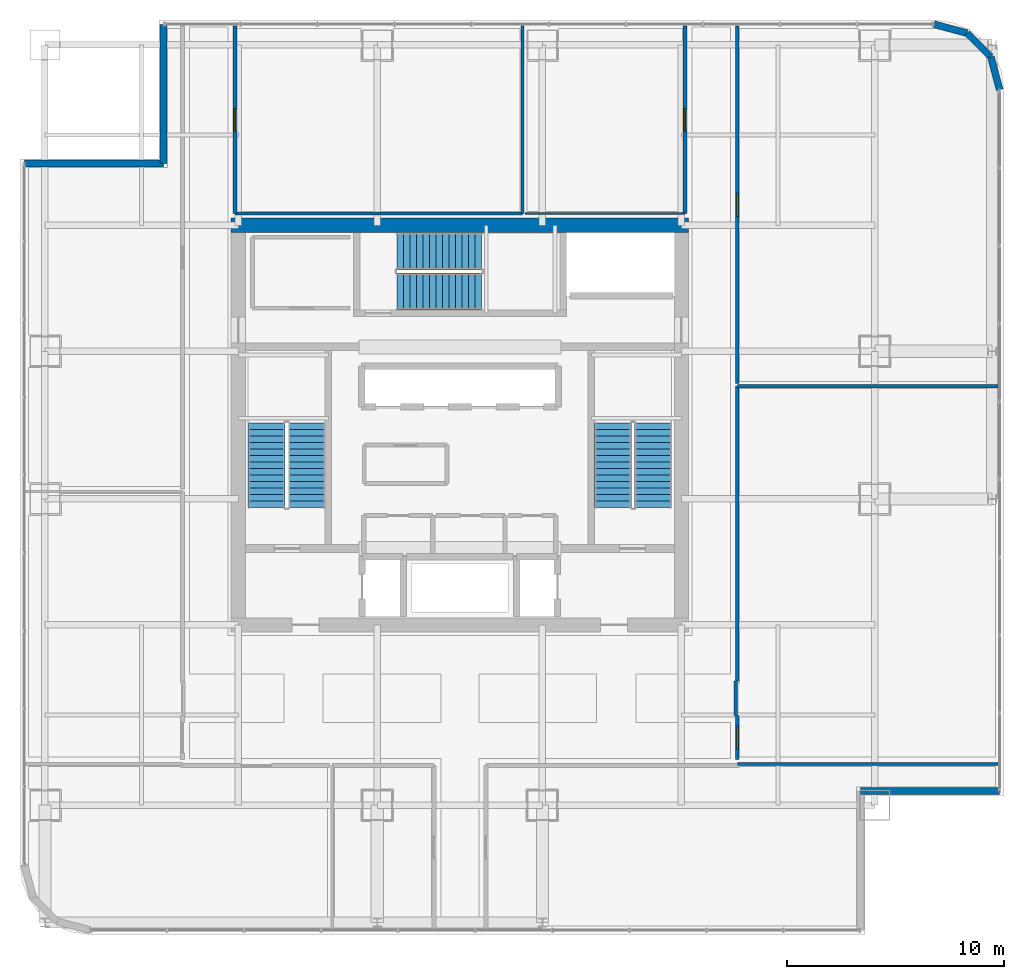
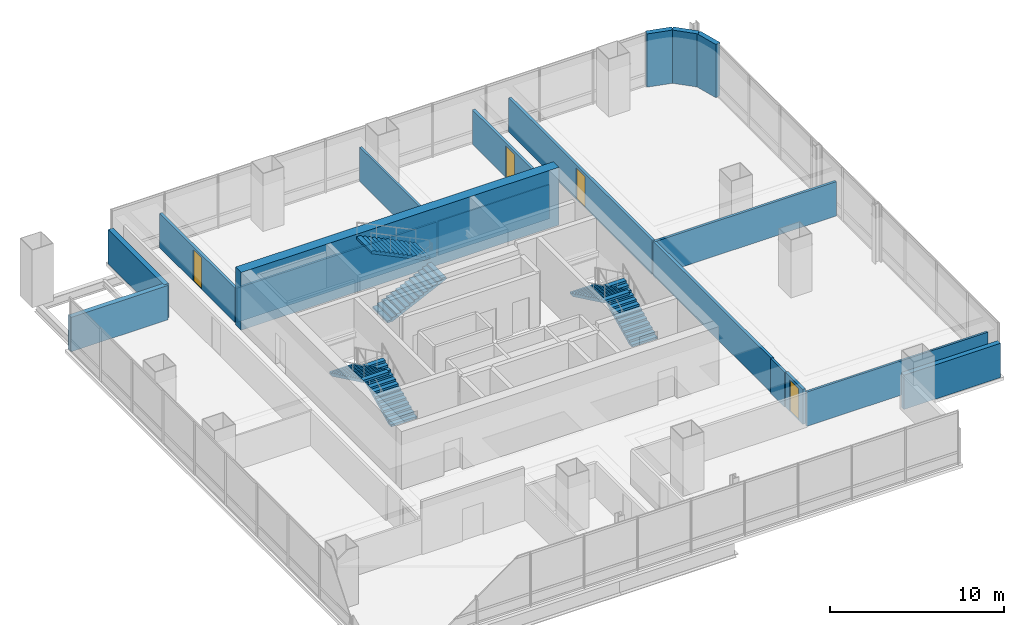
# One storey, part 31 of 35: 18 walls, 6 stair flights, 4 doors, 4 openings, 3 elements without a shape of their own.
"""IFC4 building model written with IfcOpenShell, lengths in metres."""

from ifc_helpers import new_model, si_unit, direction, frame, frame_2d, origin, place, context, subcontext, project, spatial, polyline, rectangle, outline, extrude, material, layer, layer_set, type_object, element, fill, aggregate, save


model = new_model("IFC4")

# Units and contexts
model_context = context("Model", 3, precision=1e-05, world=origin(), true_north=direction((0.0, 1.0)))
body_context = subcontext(model_context, "Body", "Model", "MODEL_VIEW")
ifc_project = project(units=[si_unit("LENGTHUNIT", "METRE"), si_unit("AREAUNIT", "SQUARE_METRE"), si_unit("VOLUMEUNIT", "CUBIC_METRE"), si_unit("PLANEANGLEUNIT", "RADIAN"), si_unit("MASSUNIT", "GRAM", prefix="KILO")], contexts=[model_context])

# Site, building, storey
site_placement = place(None, origin())
site = spatial("IfcSite", under=ifc_project, at=site_placement, CompositionType="ELEMENT")
building_placement = place(site_placement, origin())
building = spatial("IfcBuilding", under=site, at=building_placement, Name="Punatoya Terracotta Tower", CompositionType="ELEMENT")
storey_placement = place(building_placement, frame((0.0, 0.0, 232.949951171875)))
storey = spatial("IfcBuildingStorey", under=building, at=storey_placement, Name="L55", CompositionType="ELEMENT", Elevation=232.949951171875)

# Wall
ifc_material_1 = material(Name="Concrete C60/75", Category="concrete")
ifc_layer_1 = layer(ifc_material_1, 0.64990234375)
ifc_layer_set_1 = layer_set([ifc_layer_1], Name="Concrete C60/75")
wall_type_1 = type_object("IfcWallType", Name="WL-COR-650", PredefinedType="SHEAR", material=ifc_layer_set_1)
wall_1_placement = place(storey_placement, frame((-10.52490234375, 9.199951171875, 0.0), z_axis=(0.0, 0.0, 1.0), x_axis=(1.0, 0.0, 0.0)))
element("IfcWall", 1, at=wall_1_placement, inside=storey, type_object=wall_type_1, Name="L55 Core Shear Wall N", PredefinedType="SHEAR", context=body_context, shape_type="SweptSolid", body=[
    extrude(rectangle(XDim=21.0498046875, YDim=0.64990234375, at=frame_2d((10.52490234375, 0.0))), origin(), (0.0, 0.0, 1.0), 4.050048828125),
])

# Wall, opening, door
ifc_material_2 = material(Name="Gypsum Fireboard + Steel Stud", Category="steel")
ifc_layer_2 = layer(ifc_material_2, 0.179931640625)
ifc_layer_set_2 = layer_set([ifc_layer_2], Name="Gypsum Fireboard + Steel Stud")
wall_type_2 = type_object("IfcWallType", Name="WL-CORR-180", PredefinedType="PARTITIONING", material=ifc_layer_set_2)
wall_2_placement = place(storey_placement, frame((12.77001953125, -15.389892578125, 0.0), z_axis=(0.0, 0.0, 1.0), x_axis=(0.0, 1.0, 0.0)))
wall_2 = element("IfcWall", 2, at=wall_2_placement, inside=storey, type_object=wall_type_2, Name="L55 Breakout Tea Pantry Partition 27", PredefinedType="PARTITIONING", context=body_context, shape_type="SweptSolid", body=[
    extrude(rectangle(XDim=2.010009765625, YDim=0.179931640625, at=frame_2d((1.0048828125, 0.0))), origin(), (0.0, 0.0, 1.0), 2.444091796875),
])
opening_1_placement = place(wall_2_placement, frame((0.47998046875, 0.0, 0.0)))
opening_1 = element("IfcOpeningElement", 3, at=opening_1_placement, cuts=wall_2, Name="Opening OD-01", PredefinedType="OPENING", context=body_context, shape_type="SweptSolid", body=[
    extrude(rectangle(XDim=1.050048828125, YDim=2.199951171875, at=frame_2d((0.52490234375, 1.10009765625))), frame((0.0, 0.099853515625, 0.0), z_axis=(0.0, -1.0, 0.0), x_axis=(1.0, 0.0, 0.0)), (0.0, 0.0, 1.0), 0.199951171875),
])
ifc_material_3 = material(Name="Bengal Teak Solid-Core Leaf")
door_type_1 = type_object("IfcDoorType", Name="DR-OFF-1050", OperationType="NOTDEFINED", PredefinedType="DOOR", material=ifc_material_3)
door_1_placement = place(opening_1_placement, origin())
door_1 = element("IfcDoor", 4, at=door_1_placement, inside=storey, type_object=door_type_1, Name="L55 Breakout Tea Pantry Door", OperationType="SINGLE_SWING_RIGHT", OverallHeight=2.199951171875, OverallWidth=1.050048828125, PredefinedType="DOOR", context=body_context, shape_type="SweptSolid", body=[
    extrude(rectangle(XDim=1.050048828125, YDim=2.199951171875, at=frame_2d((0.52490234375, 1.10009765625))), frame((0.0, 0.02490234375, 0.0), z_axis=(0.0, -1.0, 0.0), x_axis=(1.0, 0.0, 0.0)), (0.0, 0.0, 1.0), 0.050048828125),
])
fill(opening_1, door_1)

# Wall
wall_3_placement = place(storey_placement, frame((12.77001953125, -11.77001953125, 0.0), z_axis=(0.0, 0.0, 1.0), x_axis=(0.0, 1.0, 0.0)))
element("IfcWall", 5, at=wall_3_placement, inside=storey, type_object=wall_type_2, Name="L55 Breakout Tea Pantry Partition 29", PredefinedType="PARTITIONING", context=body_context, shape_type="SweptSolid", body=[
    extrude(rectangle(XDim=13.56005859375, YDim=0.179931640625, at=frame_2d((6.780029296875, 0.0))), origin(), (0.0, 0.0, 1.0), 2.404052734375),
])

# Wall, opening, door
wall_4_placement = place(storey_placement, frame((12.77001953125, 1.909912109375, 0.0), z_axis=(0.0, 0.0, 1.0), x_axis=(0.0, 1.0, 0.0)))
wall_4 = element("IfcWall", 6, at=wall_4_placement, inside=storey, type_object=wall_type_2, Name="L55 Wellness Focus Room Partition 32", PredefinedType="PARTITIONING", context=body_context, shape_type="SweptSolid", body=[
    extrude(rectangle(XDim=16.460205078125, YDim=0.179931640625, at=frame_2d((8.22998046875, 0.0))), origin(), (0.0, 0.0, 1.0), 2.404052734375),
])
opening_2_placement = place(wall_4_placement, frame((7.705078125, 0.0, 0.0)))
opening_2 = element("IfcOpeningElement", 7, at=opening_2_placement, cuts=wall_4, Name="Opening OD-01", PredefinedType="OPENING", context=body_context, shape_type="SweptSolid", body=[
    extrude(rectangle(XDim=1.050048828125, YDim=2.199951171875, at=frame_2d((0.52490234375, 1.10009765625))), frame((0.0, 0.099853515625, 0.0), z_axis=(0.0, -1.0, 0.0), x_axis=(1.0, 0.0, 0.0)), (0.0, 0.0, 1.0), 0.199951171875),
])
door_2_placement = place(opening_2_placement, origin())
door_2 = element("IfcDoor", 8, at=door_2_placement, inside=storey, type_object=door_type_1, Name="L55 Wellness Focus Room Door", OperationType="SINGLE_SWING_RIGHT", OverallHeight=2.199951171875, OverallWidth=1.050048828125, PredefinedType="DOOR", context=body_context, shape_type="SweptSolid", body=[
    extrude(rectangle(XDim=1.050048828125, YDim=2.199951171875, at=frame_2d((0.52490234375, 1.10009765625))), frame((0.0, 0.02490234375, 0.0), z_axis=(0.0, -1.0, 0.0), x_axis=(1.0, 0.0, 0.0)), (0.0, 0.0, 1.0), 0.050048828125),
])
fill(opening_2, door_2)

wall_5_placement = place(storey_placement, frame((-10.360107421875, 9.739990234375, 0.0), z_axis=(0.0, 0.0, 1.0), x_axis=(0.0, 1.0, 0.0)))
wall_5 = element("IfcWall", 9, at=wall_5_placement, inside=storey, type_object=wall_type_2, Name="L55 Open-Plan Case-Study Classroom Partition 35", PredefinedType="PARTITIONING", context=body_context, shape_type="SweptSolid", body=[
    extrude(rectangle(XDim=8.630126953125, YDim=0.179931640625, at=frame_2d((4.31494140625, 0.0))), origin(), (0.0, 0.0, 1.0), 2.404052734375),
])
opening_3_placement = place(wall_5_placement, frame((3.804931640625, 0.0, 0.0)))
opening_3 = element("IfcOpeningElement", 10, at=opening_3_placement, cuts=wall_5, Name="Opening MD-01", PredefinedType="OPENING", context=body_context, shape_type="SweptSolid", body=[
    extrude(rectangle(XDim=1.02001953125, YDim=2.199951171875, at=frame_2d((0.510009765625, 1.10009765625))), frame((0.0, 0.099853515625, 0.0), z_axis=(0.0, -1.0, 0.0), x_axis=(1.0, 0.0, 0.0)), (0.0, 0.0, 1.0), 0.199951171875),
])
ifc_material_4 = material(Name="Aluminium + Acoustic Glass Leaf", Category="aluminium")
door_type_2 = type_object("IfcDoorType", Name="DR-MTG-1020", OperationType="NOTDEFINED", PredefinedType="DOOR", material=ifc_material_4)
door_3_placement = place(opening_3_placement, origin())
door_3 = element("IfcDoor", 11, at=door_3_placement, inside=storey, type_object=door_type_2, Name="L55 Open-Plan Case-Study Classroom Door", OperationType="SINGLE_SWING_LEFT", OverallHeight=2.199951171875, OverallWidth=1.02001953125, PredefinedType="DOOR", context=body_context, shape_type="SweptSolid", body=[
    extrude(rectangle(XDim=1.02001953125, YDim=2.199951171875, at=frame_2d((0.510009765625, 1.10009765625))), frame((0.0, 0.02490234375, 0.0), z_axis=(0.0, -1.0, 0.0), x_axis=(1.0, 0.0, 0.0)), (0.0, 0.0, 1.0), 0.050048828125),
])
fill(opening_3, door_3)

wall_6_placement = place(storey_placement, frame((10.360107421875, 18.3701171875, 0.0), z_axis=(0.0, 0.0, 1.0), x_axis=(0.0, -1.0, 0.0)))
wall_6 = element("IfcWall", 12, at=wall_6_placement, inside=storey, type_object=wall_type_2, Name="L55 Open-Plan Symposium Colloquium Room Partition 37", PredefinedType="PARTITIONING", context=body_context, shape_type="SweptSolid", body=[
    extrude(rectangle(XDim=8.630126953125, YDim=0.179931640625, at=frame_2d((4.31494140625, 0.0))), origin(), (0.0, 0.0, 1.0), 2.404052734375),
])
opening_4_placement = place(wall_6_placement, frame((3.804931640625, 0.0, 0.0)))
opening_4 = element("IfcOpeningElement", 13, at=opening_4_placement, cuts=wall_6, Name="Opening MD-01", PredefinedType="OPENING", context=body_context, shape_type="SweptSolid", body=[
    extrude(rectangle(XDim=1.02001953125, YDim=2.199951171875, at=frame_2d((0.510009765625, 1.10009765625))), frame((0.0, 0.099853515625, 0.0), z_axis=(0.0, -1.0, 0.0), x_axis=(1.0, 0.0, 0.0)), (0.0, 0.0, 1.0), 0.199951171875),
])
door_4_placement = place(opening_4_placement, origin())
door_4 = element("IfcDoor", 14, at=door_4_placement, inside=storey, type_object=door_type_2, Name="L55 Open-Plan Symposium Colloquium Room Door", OperationType="SINGLE_SWING_RIGHT", OverallHeight=2.199951171875, OverallWidth=1.02001953125, PredefinedType="DOOR", context=body_context, shape_type="SweptSolid", body=[
    extrude(rectangle(XDim=1.02001953125, YDim=2.199951171875, at=frame_2d((0.510009765625, 1.10009765625))), frame((0.0, 0.02490234375, 0.0), z_axis=(0.0, -1.0, 0.0), x_axis=(1.0, 0.0, 0.0)), (0.0, 0.0, 1.0), 0.050048828125),
])
fill(opening_4, door_4)

# Walls
ifc_material_5 = material(Name="Precast concrete C40/50", Category="concrete")
ifc_layer_3 = layer(ifc_material_5, 0.320068359375)
ifc_layer_set_3 = layer_set([ifc_layer_3], Name="Precast concrete C40/50")
wall_type_3 = type_object("IfcWallType", Name="WL-EXT-320", PredefinedType="SOLIDWALL", material=ifc_layer_set_3)
wall_7_placement = place(storey_placement, frame((18.449951171875, -16.85009765625, 0.0), z_axis=(0.0, 0.0, 1.0), x_axis=(1.0, 0.0, 0.0)))
element("IfcWall", 15, at=wall_7_placement, inside=storey, type_object=wall_type_3, Name="L55 Recessed Corner-Slot Terracotta Wall 03", PredefinedType="SOLIDWALL", context=body_context, shape_type="SweptSolid", body=[
    extrude(rectangle(XDim=6.400146484375, YDim=0.320068359375, at=frame_2d((3.2001953125, 0.0))), origin(), (0.0, 0.0, 1.0), 2.404052734375),
])
wall_8_placement = place(storey_placement, frame((24.85009765625, 15.43701171875, 0.0), z_axis=(0.0, 0.0, 1.0), x_axis=(-0.257847112249, 0.966185730957, 0.0)))
element("IfcWall", 16, at=wall_8_placement, inside=storey, type_object=wall_type_3, Name="L55 Rounded Terracotta Corner Pier 05", PredefinedType="SOLIDWALL", context=body_context, shape_type="SweptSolid", body=[
    extrude(rectangle(XDim=1.565185546875, YDim=0.320068359375, at=frame_2d((0.78271484375, 0.0))), origin(), (0.0, 0.0, 1.0), 3.72998046875),
])
wall_9_placement = place(storey_placement, frame((24.446533203125, 16.94921875, 0.0), z_axis=(0.0, 0.0, 1.0), x_axis=(-0.707106781187, 0.707106781187, 0.0)))
element("IfcWall", 17, at=wall_9_placement, inside=storey, type_object=wall_type_3, Name="L55 Rounded Terracotta Corner Pier 06", PredefinedType="SOLIDWALL", context=body_context, shape_type="SweptSolid", body=[
    extrude(rectangle(XDim=1.552001953125, YDim=0.320068359375, at=frame_2d((0.77587890625, 0.0))), origin(), (0.0, 0.0, 1.0), 3.72998046875),
])
wall_10_placement = place(storey_placement, frame((23.34912109375, 18.046630859375, 0.0), z_axis=(0.0, 0.0, 1.0), x_axis=(-0.966224582397, 0.257701486942, 0.0)))
element("IfcWall", 18, at=wall_10_placement, inside=storey, type_object=wall_type_3, Name="L55 Rounded Terracotta Corner Pier 07", PredefinedType="SOLIDWALL", context=body_context, shape_type="SweptSolid", body=[
    extrude(rectangle(XDim=1.565185546875, YDim=0.320068359375, at=frame_2d((0.78271484375, 0.0))), origin(), (0.0, 0.0, 1.0), 3.72998046875),
])
wall_11_placement = place(storey_placement, frame((-13.64990234375, 18.449951171875, 0.0), z_axis=(0.0, 0.0, 1.0), x_axis=(0.0, -1.0, 0.0)))
element("IfcWall", 19, at=wall_11_placement, inside=storey, type_object=wall_type_3, Name="L55 Recessed Corner-Slot Terracotta Wall 09", PredefinedType="SOLIDWALL", context=body_context, shape_type="SweptSolid", body=[
    extrude(rectangle(XDim=6.39990234375, YDim=0.320068359375, at=frame_2d((3.199951171875, 0.0))), origin(), (0.0, 0.0, 1.0), 2.404052734375),
])
wall_12_placement = place(storey_placement, frame((-13.64990234375, 12.050048828125, 0.0), z_axis=(0.0, 0.0, 1.0), x_axis=(-1.0, 0.0, 0.0)))
element("IfcWall", 20, at=wall_12_placement, inside=storey, type_object=wall_type_3, Name="L55 Recessed Corner-Slot Terracotta Wall 10", PredefinedType="SOLIDWALL", context=body_context, shape_type="SweptSolid", body=[
    extrude(rectangle(XDim=6.400146484375, YDim=0.320068359375, at=frame_2d((3.2001953125, 0.0))), origin(), (0.0, 0.0, 1.0), 2.404052734375),
])
ifc_material_6 = material(Name="Aluminium Framed Acoustic Glass Partition", Category="aluminium")
ifc_layer_4 = layer(ifc_material_6, 0.10009765625)
ifc_layer_set_4 = layer_set([ifc_layer_4], Name="Aluminium Framed Acoustic Glass Partition")
wall_type_4 = type_object("IfcWallType", Name="WL-GLZ-100", PredefinedType="PARTITIONING", material=ifc_layer_set_4)
wall_13_placement = place(storey_placement, frame((10.360107421875, 9.739990234375, 0.0), z_axis=(0.0, 0.0, 1.0), x_axis=(-1.0, 0.0, 0.0)))
element("IfcWall", 21, at=wall_13_placement, inside=storey, type_object=wall_type_4, Name="L55 Open-Plan Symposium Colloquium Room Partition 36", PredefinedType="PARTITIONING", context=body_context, shape_type="SweptSolid", body=[
    extrude(rectangle(XDim=7.3662109375, YDim=0.10009765625, at=frame_2d((3.68310546875, 0.0))), origin(), (0.0, 0.0, 1.0), 2.404052734375),
])
ifc_material_7 = material(Name="Acoustic Gypsum + Steel Stud", Category="steel")
ifc_layer_5 = layer(ifc_material_7, 0.139892578125)
ifc_layer_set_5 = layer_set([ifc_layer_5], Name="Acoustic Gypsum + Steel Stud")
wall_type_5 = type_object("IfcWallType", Name="WL-OFF-140", PredefinedType="PARTITIONING", material=ifc_layer_set_5)
wall_14_placement = place(storey_placement, frame((12.77001953125, -15.610107421875, 0.0), z_axis=(0.0, 0.0, 1.0), x_axis=(1.0, 0.0, 0.0)))
element("IfcWall", 22, at=wall_14_placement, inside=storey, type_object=wall_type_5, Name="L55 Open-Plan Collaborative Workshop Room Partition 22", PredefinedType="PARTITIONING", context=body_context, shape_type="SweptSolid", body=[
    extrude(rectangle(XDim=12.0, YDim=0.139892578125, at=frame_2d((6.0, 0.0))), origin(), (0.0, 0.0, 1.0), 2.404052734375),
])
wall_15_placement = place(storey_placement, frame((2.8740234375, 18.3701171875, 0.0), z_axis=(0.0, 0.0, 1.0), x_axis=(0.0, -1.0, 0.0)))
element("IfcWall", 23, at=wall_15_placement, inside=storey, type_object=wall_type_5, Name="L55 Open-Plan Case-Study Classroom Partition 33", PredefinedType="PARTITIONING", context=body_context, shape_type="SweptSolid", body=[
    extrude(rectangle(XDim=8.630126953125, YDim=0.139892578125, at=frame_2d((4.31494140625, 0.0))), origin(), (0.0, 0.0, 1.0), 2.404052734375),
])
wall_16_placement = place(storey_placement, frame((2.8740234375, 9.739990234375, 0.0), z_axis=(0.0, 0.0, 1.0), x_axis=(-1.0, 0.0, 0.0)))
element("IfcWall", 24, at=wall_16_placement, inside=storey, type_object=wall_type_5, Name="L55 Open-Plan Case-Study Classroom Partition 34", PredefinedType="PARTITIONING", context=body_context, shape_type="SweptSolid", body=[
    extrude(rectangle(XDim=13.234130859375, YDim=0.139892578125, at=frame_2d((6.6171875, 0.0))), origin(), (0.0, 0.0, 1.0), 2.404052734375),
])
ifc_material_8 = material(Name="Masonry Blockwork + Ceramic Tile", Category="masonry")
ifc_layer_6 = layer(ifc_material_8, 0.159912109375)
ifc_layer_set_6 = layer_set([ifc_layer_6], Name="Masonry Blockwork + Ceramic Tile")
wall_type_6 = type_object("IfcWallType", Name="WL-WET-160", PredefinedType="PARTITIONING", material=ifc_layer_set_6)
wall_17_placement = place(storey_placement, frame((12.7099609375, -13.3798828125, 0.0), z_axis=(0.0, 0.0, 1.0), x_axis=(0.0, 1.0, 0.0)))
element("IfcWall", 25, at=wall_17_placement, inside=storey, type_object=wall_type_6, Name="L55 Breakout Tea Pantry Partition 28", PredefinedType="PARTITIONING", context=body_context, shape_type="SweptSolid", body=[
    extrude(rectangle(XDim=1.60986328125, YDim=0.159912109375, at=frame_2d((0.804931640625, 0.0))), origin(), (0.0, 0.0, 1.0), 2.444091796875),
])
wall_18_placement = place(storey_placement, frame((12.77001953125, 1.7900390625, 0.0), z_axis=(0.0, 0.0, 1.0), x_axis=(1.0, 0.0, 0.0)))
element("IfcWall", 26, at=wall_18_placement, inside=storey, type_object=wall_type_6, Name="L55 Breakout Tea Pantry Partition 30", PredefinedType="PARTITIONING", context=body_context, shape_type="SweptSolid", body=[
    extrude(rectangle(XDim=12.0, YDim=0.159912109375, at=frame_2d((6.0, 0.0))), origin(), (0.0, 0.0, 1.0), 2.404052734375),
])

# Stair, stair flights
ifc_material_9 = material(Name="Concrete C40/50", Category="concrete")
stair_type_1 = type_object("IfcStairType", Name="STR-CORE-1550", PredefinedType="HALF_TURN_STAIR", material=ifc_material_9)
stair_1_placement = place(storey_placement, origin())
stair_1 = element("IfcStair", 27, at=stair_1_placement, inside=storey, type_object=stair_type_1, Name="L55 Protected Core Exit Stair ST-1", PredefinedType="HALF_TURN_STAIR")
stair_flight_type_1 = type_object("IfcStairFlightType", Name="SFL-CORE-1550", PredefinedType="STRAIGHT", material=ifc_material_9)
stair_flight_1_placement = place(storey_placement, frame((-7.050048828125, -3.800048828125, 0.0), z_axis=(0.0, 0.0, 1.0), x_axis=(0.0, 1.0, 0.0)))
stair_flight_1 = element("IfcStairFlight", 28, at=stair_flight_1_placement, type_object=stair_flight_type_1, Name="ST-1 flight 1", NumberOfRisers=14, NumberOfTreads=13, PredefinedType="STRAIGHT", RiserHeight=0.144642857, TreadLength=0.3, context=body_context, shape_type="SweptSolid", body=[
    extrude(outline(polyline([(0.0, 0.0), (0.0, 0.14453125), (0.300048828125, 0.14453125), (0.300048828125, 0.289306640625), (0.60009765625, 0.289306640625), (0.60009765625, 0.433837890625), (0.89990234375, 0.433837890625), (0.89990234375, 0.57861328125), (1.199951171875, 0.57861328125), (1.199951171875, 0.72314453125), (1.5, 0.72314453125), (1.5, 0.867919921875), (1.800048828125, 0.867919921875), (1.800048828125, 1.012451171875), (2.10009765625, 1.012451171875), (2.10009765625, 1.1572265625), (2.39990234375, 1.1572265625), (2.39990234375, 1.3017578125), (2.699951171875, 1.3017578125), (2.699951171875, 1.446533203125), (3.0, 1.446533203125), (3.0, 1.591064453125), (3.300048828125, 1.591064453125), (3.300048828125, 1.735595703125), (3.60009765625, 1.735595703125), (3.60009765625, 1.88037109375), (3.89990234375, 1.88037109375), (3.89990234375, 2.02490234375), (3.89990234375, 1.7138671875), (0.34521484375, 0.0), (0.0, 0.0)])), frame((0.0, 0.85009765625, 0.0), z_axis=(0.0, -1.0, 0.0), x_axis=(1.0, 0.0, 0.0)), (0.0, 0.0, 1.0), 1.699951171875),
])
stair_flight_2_placement = place(storey_placement, frame((-8.89990234375, 0.10009765625, 2.025146484375), z_axis=(0.0, 0.0, 1.0), x_axis=(0.0, -1.0, 0.0)))
stair_flight_2 = element("IfcStairFlight", 29, at=stair_flight_2_placement, type_object=stair_flight_type_1, Name="ST-1 flight 2", NumberOfRisers=14, NumberOfTreads=13, PredefinedType="STRAIGHT", RiserHeight=0.144642857, TreadLength=0.3, context=body_context, shape_type="SweptSolid", body=[
    extrude(outline(polyline([(0.0, 0.0), (0.0, 0.14453125), (0.300048828125, 0.14453125), (0.300048828125, 0.289306640625), (0.60009765625, 0.289306640625), (0.60009765625, 0.433837890625), (0.89990234375, 0.433837890625), (0.89990234375, 0.57861328125), (1.199951171875, 0.57861328125), (1.199951171875, 0.72314453125), (1.5, 0.72314453125), (1.5, 0.867919921875), (1.800048828125, 0.867919921875), (1.800048828125, 1.012451171875), (2.10009765625, 1.012451171875), (2.10009765625, 1.1572265625), (2.39990234375, 1.1572265625), (2.39990234375, 1.3017578125), (2.699951171875, 1.3017578125), (2.699951171875, 1.446533203125), (3.0, 1.446533203125), (3.0, 1.591064453125), (3.300048828125, 1.591064453125), (3.300048828125, 1.735595703125), (3.60009765625, 1.735595703125), (3.60009765625, 1.88037109375), (3.89990234375, 1.88037109375), (3.89990234375, 2.02490234375), (3.89990234375, 1.7138671875), (0.34521484375, 0.0), (0.0, 0.0)])), frame((0.0, 0.85009765625, 0.0), z_axis=(0.0, -1.0, 0.0), x_axis=(1.0, 0.0, 0.0)), (0.0, 0.0, 1.0), 1.699951171875),
])
aggregate(stair_1, [stair_flight_1, stair_flight_2])

stair_type_2 = type_object("IfcStairType", Name="STR-LOB-1650", PredefinedType="HALF_TURN_STAIR", material=ifc_material_9)
stair_2_placement = place(storey_placement, origin())
stair_2 = element("IfcStair", 30, at=stair_2_placement, inside=storey, type_object=stair_type_2, Name="L55 Protected Core Exit Stair ST-2", PredefinedType="HALF_TURN_STAIR")
stair_flight_type_2 = type_object("IfcStairFlightType", Name="SFL-LOB-1650", PredefinedType="STRAIGHT", material=ifc_material_9)
stair_flight_3_placement = place(storey_placement, frame((8.89990234375, -3.800048828125, 0.0), z_axis=(0.0, 0.0, 1.0), x_axis=(0.0, 1.0, 0.0)))
stair_flight_3 = element("IfcStairFlight", 31, at=stair_flight_3_placement, type_object=stair_flight_type_2, Name="ST-2 flight 1", NumberOfRisers=14, NumberOfTreads=13, PredefinedType="STRAIGHT", RiserHeight=0.144642857, TreadLength=0.3, context=body_context, shape_type="SweptSolid", body=[
    extrude(outline(polyline([(0.0, 0.0), (0.0, 0.14453125), (0.300048828125, 0.14453125), (0.300048828125, 0.289306640625), (0.60009765625, 0.289306640625), (0.60009765625, 0.433837890625), (0.89990234375, 0.433837890625), (0.89990234375, 0.57861328125), (1.199951171875, 0.57861328125), (1.199951171875, 0.72314453125), (1.5, 0.72314453125), (1.5, 0.867919921875), (1.800048828125, 0.867919921875), (1.800048828125, 1.012451171875), (2.10009765625, 1.012451171875), (2.10009765625, 1.1572265625), (2.39990234375, 1.1572265625), (2.39990234375, 1.3017578125), (2.699951171875, 1.3017578125), (2.699951171875, 1.446533203125), (3.0, 1.446533203125), (3.0, 1.591064453125), (3.300048828125, 1.591064453125), (3.300048828125, 1.735595703125), (3.60009765625, 1.735595703125), (3.60009765625, 1.88037109375), (3.89990234375, 1.88037109375), (3.89990234375, 2.02490234375), (3.89990234375, 1.7138671875), (0.34521484375, 0.0), (0.0, 0.0)])), frame((0.0, 0.85009765625, 0.0), z_axis=(0.0, -1.0, 0.0), x_axis=(1.0, 0.0, 0.0)), (0.0, 0.0, 1.0), 1.699951171875),
])
stair_flight_4_placement = place(storey_placement, frame((7.050048828125, 0.10009765625, 2.025146484375), z_axis=(0.0, 0.0, 1.0), x_axis=(0.0, -1.0, 0.0)))
stair_flight_4 = element("IfcStairFlight", 32, at=stair_flight_4_placement, type_object=stair_flight_type_2, Name="ST-2 flight 2", NumberOfRisers=14, NumberOfTreads=13, PredefinedType="STRAIGHT", RiserHeight=0.144642857, TreadLength=0.3, context=body_context, shape_type="SweptSolid", body=[
    extrude(outline(polyline([(0.0, 0.0), (0.0, 0.14453125), (0.300048828125, 0.14453125), (0.300048828125, 0.289306640625), (0.60009765625, 0.289306640625), (0.60009765625, 0.433837890625), (0.89990234375, 0.433837890625), (0.89990234375, 0.57861328125), (1.199951171875, 0.57861328125), (1.199951171875, 0.72314453125), (1.5, 0.72314453125), (1.5, 0.867919921875), (1.800048828125, 0.867919921875), (1.800048828125, 1.012451171875), (2.10009765625, 1.012451171875), (2.10009765625, 1.1572265625), (2.39990234375, 1.1572265625), (2.39990234375, 1.3017578125), (2.699951171875, 1.3017578125), (2.699951171875, 1.446533203125), (3.0, 1.446533203125), (3.0, 1.591064453125), (3.300048828125, 1.591064453125), (3.300048828125, 1.735595703125), (3.60009765625, 1.735595703125), (3.60009765625, 1.88037109375), (3.89990234375, 1.88037109375), (3.89990234375, 2.02490234375), (3.89990234375, 1.7138671875), (0.34521484375, 0.0), (0.0, 0.0)])), frame((0.0, 0.85009765625, 0.0), z_axis=(0.0, -1.0, 0.0), x_axis=(1.0, 0.0, 0.0)), (0.0, 0.0, 1.0), 1.699951171875),
])
aggregate(stair_2, [stair_flight_3, stair_flight_4])

stair_type_3 = type_object("IfcStairType", Name="STR-TER-1450", PredefinedType="HALF_TURN_STAIR", material=ifc_material_9)
stair_3_placement = place(storey_placement, origin())
stair_3 = element("IfcStair", 33, at=stair_3_placement, inside=storey, type_object=stair_type_3, Name="L55 Protected Core Exit Stair ST-3", PredefinedType="HALF_TURN_STAIR")
stair_flight_type_3 = type_object("IfcStairFlightType", Name="SFL-TER-1450", PredefinedType="STRAIGHT", material=ifc_material_9)
stair_flight_5_placement = place(storey_placement, frame((-2.89990234375, 6.14990234375, 0.0), z_axis=(0.0, 0.0, 1.0), x_axis=(1.0, 0.0, 0.0)))
stair_flight_5 = element("IfcStairFlight", 34, at=stair_flight_5_placement, type_object=stair_flight_type_3, Name="ST-3 flight 1", NumberOfRisers=14, NumberOfTreads=13, PredefinedType="STRAIGHT", RiserHeight=0.144642857, TreadLength=0.3, context=body_context, shape_type="SweptSolid", body=[
    extrude(outline(polyline([(0.0, 0.0), (0.0, 0.14453125), (0.300048828125, 0.14453125), (0.300048828125, 0.289306640625), (0.60009765625, 0.289306640625), (0.60009765625, 0.433837890625), (0.89990234375, 0.433837890625), (0.89990234375, 0.57861328125), (1.199951171875, 0.57861328125), (1.199951171875, 0.72314453125), (1.5, 0.72314453125), (1.5, 0.867919921875), (1.800048828125, 0.867919921875), (1.800048828125, 1.012451171875), (2.10009765625, 1.012451171875), (2.10009765625, 1.1572265625), (2.39990234375, 1.1572265625), (2.39990234375, 1.3017578125), (2.699951171875, 1.3017578125), (2.699951171875, 1.446533203125), (3.0, 1.446533203125), (3.0, 1.591064453125), (3.300048828125, 1.591064453125), (3.300048828125, 1.735595703125), (3.60009765625, 1.735595703125), (3.60009765625, 1.88037109375), (3.89990234375, 1.88037109375), (3.89990234375, 2.02490234375), (3.89990234375, 1.7138671875), (0.34521484375, 0.0), (0.0, 0.0)])), frame((0.0, 0.85009765625, 0.0), z_axis=(0.0, -1.0, 0.0), x_axis=(1.0, 0.0, 0.0)), (0.0, 0.0, 1.0), 1.699951171875),
])
stair_flight_6_placement = place(storey_placement, frame((1.0, 8.0, 2.025146484375), z_axis=(0.0, 0.0, 1.0), x_axis=(-1.0, 0.0, 0.0)))
stair_flight_6 = element("IfcStairFlight", 35, at=stair_flight_6_placement, type_object=stair_flight_type_3, Name="ST-3 flight 2", NumberOfRisers=14, NumberOfTreads=13, PredefinedType="STRAIGHT", RiserHeight=0.144642857, TreadLength=0.3, context=body_context, shape_type="SweptSolid", body=[
    extrude(outline(polyline([(0.0, 0.0), (0.0, 0.14453125), (0.300048828125, 0.14453125), (0.300048828125, 0.289306640625), (0.60009765625, 0.289306640625), (0.60009765625, 0.433837890625), (0.89990234375, 0.433837890625), (0.89990234375, 0.57861328125), (1.199951171875, 0.57861328125), (1.199951171875, 0.72314453125), (1.5, 0.72314453125), (1.5, 0.867919921875), (1.800048828125, 0.867919921875), (1.800048828125, 1.012451171875), (2.10009765625, 1.012451171875), (2.10009765625, 1.1572265625), (2.39990234375, 1.1572265625), (2.39990234375, 1.3017578125), (2.699951171875, 1.3017578125), (2.699951171875, 1.446533203125), (3.0, 1.446533203125), (3.0, 1.591064453125), (3.300048828125, 1.591064453125), (3.300048828125, 1.735595703125), (3.60009765625, 1.735595703125), (3.60009765625, 1.88037109375), (3.89990234375, 1.88037109375), (3.89990234375, 2.02490234375), (3.89990234375, 1.7138671875), (0.34521484375, 0.0), (0.0, 0.0)])), frame((0.0, 0.85009765625, 0.0), z_axis=(0.0, -1.0, 0.0), x_axis=(1.0, 0.0, 0.0)), (0.0, 0.0, 1.0), 1.699951171875),
])
aggregate(stair_3, [stair_flight_5, stair_flight_6])

save(model, "model.ifc")
